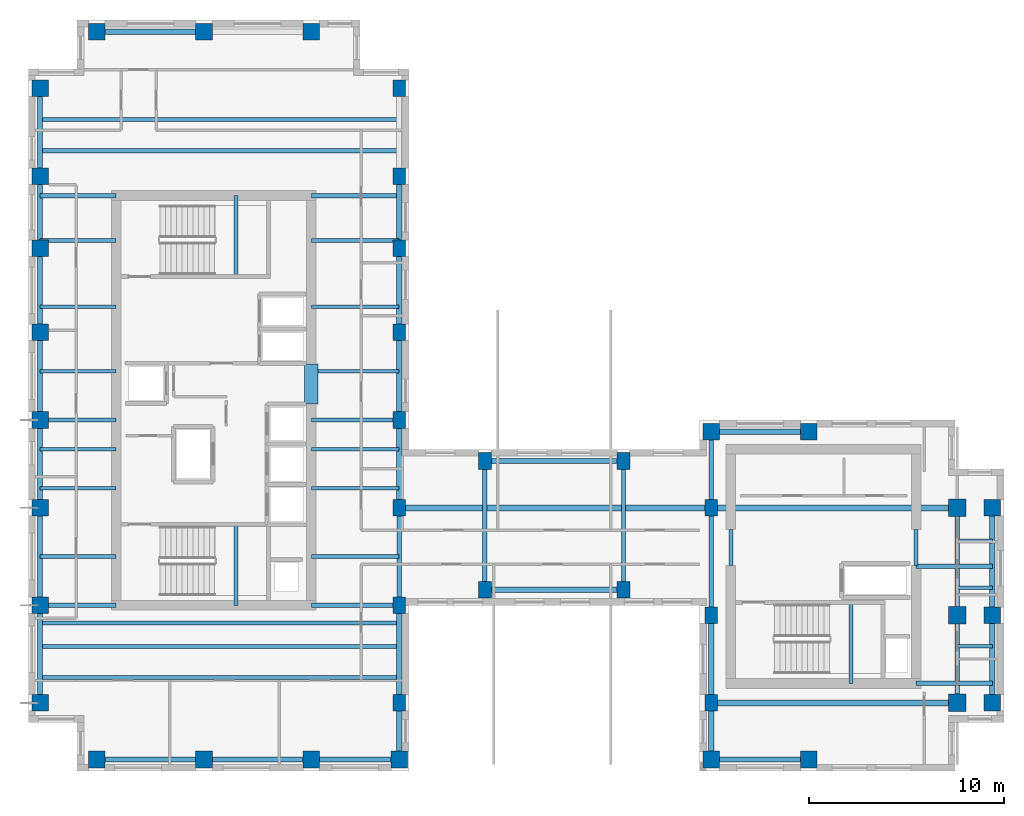
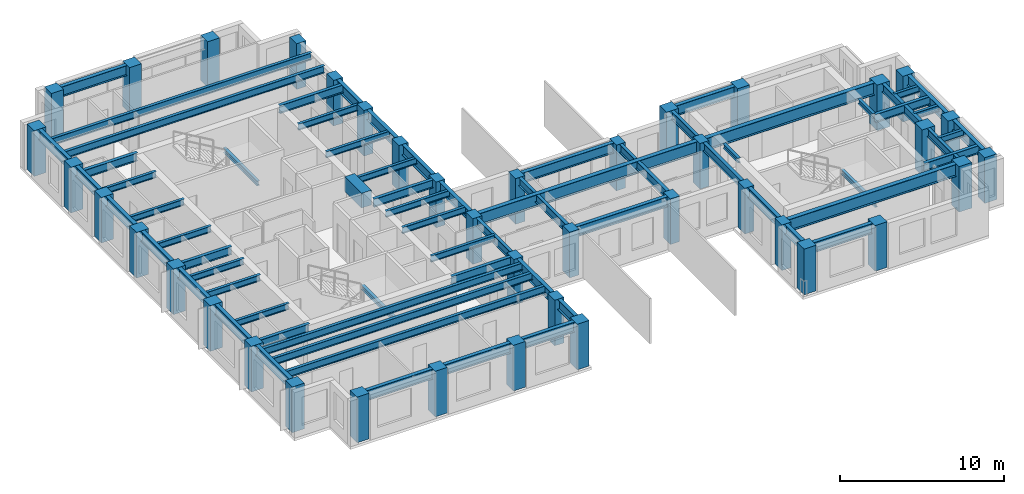
# One storey, part 1 of 10: 69 beams, 40 columns.
"""IFC4 building model written with IfcOpenShell, lengths in metres."""

from ifc_helpers import new_model, si_unit, direction, frame, origin, origin_2d, place, context, subcontext, project, spatial, rectangle, i_section, extrude, source, transform, mapped, material, material_profile, profile_set, type_object, element, save


model = new_model("IFC4")

# Units and contexts
model_context = context("Model", 3, precision=1e-05, world=origin(), true_north=direction((0.0, 1.0)))
body_context = subcontext(model_context, "Body", "Model", "MODEL_VIEW")
ifc_project = project(units=[si_unit("LENGTHUNIT", "METRE"), si_unit("AREAUNIT", "SQUARE_METRE"), si_unit("VOLUMEUNIT", "CUBIC_METRE"), si_unit("PLANEANGLEUNIT", "RADIAN"), si_unit("MASSUNIT", "GRAM", prefix="KILO")], contexts=[model_context])

# Site, building, storey
site_placement = place(None, origin())
site = spatial("IfcSite", under=ifc_project, at=site_placement, CompositionType="ELEMENT")
building_placement = place(site_placement, origin())
building = spatial("IfcBuilding", under=site, at=building_placement, Name="Kharzan Plaza Tower", CompositionType="ELEMENT")
storey_placement = place(building_placement, frame((0.0, 0.0, 230.39990234375)))
storey = spatial("IfcBuildingStorey", under=building, at=storey_placement, Name="L62", CompositionType="ELEMENT", Elevation=230.39990234375)

# Columns
ifc_material_1 = material(Name="Concrete C50/60", Category="concrete")
ifc_material_profile_1 = material_profile(ifc_material_1, rectangle(XDim=0.89990234375, YDim=0.89990234375, at=origin_2d()), Name="RC-IC900x900")
ifc_profile_set_1 = profile_set([ifc_material_profile_1], Name="Concrete C50/60")
column_type_1 = type_object("IfcColumnType", Name="COL-IC900", PredefinedType="COLUMN", material=ifc_profile_set_1)
shared_shape_1 = source(origin(), body_context, "Body", "SweptSolid", [
    extrude(rectangle(XDim=0.89990234375, YDim=0.89990234375, at=origin_2d()), origin(), (0.0, 0.0, 1.0), 3.400146484375),
])
for number, where, z_axis, x_axis, name in (
    (1, (47.60009765625, 13.5, 0.0), (0.0, 0.0, 1.0), (1.0, 0.0, 0.0), "L62 Structural Column TCBI-135"),
    (2, (47.60009765625, 3.5, 0.0), (0.0, 0.0, 1.0), (1.0, 0.0, 0.0), "L62 Structural Column TCBI-35"),
    (3, (47.60009765625, 8.0, 0.0), (0.0, 0.0, 1.0), (1.0, 0.0, 0.0), "L62 Structural Column TCBI-80"),
):
    element("IfcColumn", number, at=place(storey_placement, frame(where, z_axis=z_axis, x_axis=x_axis)), inside=storey, type_object=column_type_1, Name=name, PredefinedType="COLUMN", context=body_context, shape_type="MappedRepresentation", body=[
        mapped(shared_shape_1, transform((0.0, 0.0, 0.0), x_axis=(1.0, 0.0, 0.0), y_axis=(0.0, 1.0, 0.0), z_axis=(0.0, 0.0, 1.0))),
    ])
ifc_material_profile_2 = material_profile(ifc_material_1, rectangle(XDim=0.64990234375, YDim=0.85009765625, at=origin_2d()), Name="RC-SC850x650")
ifc_profile_set_2 = profile_set([ifc_material_profile_2], Name="Concrete C50/60")
column_type_2 = type_object("IfcColumnType", Name="COL-SC850", PredefinedType="COLUMN", material=ifc_profile_set_2)
shared_shape_2 = source(origin(), body_context, "Body", "SweptSolid", [
    extrude(rectangle(XDim=0.64990234375, YDim=0.85009765625, at=origin_2d()), origin(), (0.0, 0.0, 1.0), 3.400146484375),
])
for number, where, z_axis, x_axis, name in (
    (4, (19.0, 13.5, 0.0), (0.0, 0.0, 1.0), (1.0, 0.0, 0.0), "L62 Structural Column TCA-135"),
    (5, (19.0, 18.0, 0.0), (0.0, 0.0, 1.0), (1.0, 0.0, 0.0), "L62 Structural Column TCA-180"),
    (6, (19.0, 22.5, 0.0), (0.0, 0.0, 1.0), (1.0, 0.0, 0.0), "L62 Structural Column TCA-225"),
    (7, (19.0, 26.800048828125, 0.0), (0.0, 0.0, 1.0), (1.0, 0.0, 0.0), "L62 Structural Column TCA-268"),
    (8, (19.0, 30.5, 0.0), (0.0, 0.0, 1.0), (1.0, 0.0, 0.0), "L62 Structural Column TCA-305"),
    (9, (19.0, 3.5, 0.0), (0.0, 0.0, 1.0), (1.0, 0.0, 0.0), "L62 Structural Column TCA-35"),
    (10, (19.0, 35.0, 0.0), (0.0, 0.0, 1.0), (1.0, 0.0, 0.0), "L62 Structural Column TCA-350"),
    (11, (19.0, 8.5, 0.0), (0.0, 0.0, 1.0), (1.0, 0.0, 0.0), "L62 Structural Column TCA-85"),
    (12, (35.0, 13.5, 0.0), (0.0, 0.0, 1.0), (1.0, 0.0, 0.0), "L62 Structural Column TCBS-135"),
    (13, (35.0, 3.5, 0.0), (0.0, 0.0, 1.0), (1.0, 0.0, 0.0), "L62 Structural Column TCBS-35"),
    (14, (35.0, 8.0, 0.0), (0.0, 0.0, 1.0), (1.0, 0.0, 0.0), "L62 Structural Column TCBS-80"),
    (15, (23.39990234375, 15.89990234375, 0.0), (0.0, 0.0, 1.0), (1.0, 0.0, 0.0), "L62 Structural Column TCSP-234-159"),
    (16, (23.39990234375, 9.300048828125, 0.0), (0.0, 0.0, 1.0), (1.0, 0.0, 0.0), "L62 Structural Column TCSP-234-93"),
    (17, (30.5, 15.89990234375, 0.0), (0.0, 0.0, 1.0), (1.0, 0.0, 0.0), "L62 Structural Column TCSP-305-159"),
    (18, (30.5, 9.300048828125, 0.0), (0.0, 0.0, 1.0), (1.0, 0.0, 0.0), "L62 Structural Column TCSP-305-93"),
):
    element("IfcColumn", number, at=place(storey_placement, frame(where, z_axis=z_axis, x_axis=x_axis)), inside=storey, type_object=column_type_2, Name=name, PredefinedType="COLUMN", context=body_context, shape_type="MappedRepresentation", body=[
        mapped(shared_shape_2, transform((0.0, 0.0, 0.0), x_axis=(1.0, 0.0, 0.0), y_axis=(0.0, 1.0, 0.0), z_axis=(0.0, 0.0, 1.0))),
    ])
ifc_material_profile_3 = material_profile(ifc_material_1, rectangle(XDim=0.85009765625, YDim=0.85009765625, at=origin_2d()), Name="RC-TC850x850")
ifc_profile_set_3 = profile_set([ifc_material_profile_3], Name="Concrete C50/60")
column_type_3 = type_object("IfcColumnType", Name="COL-TC850", PredefinedType="COLUMN", material=ifc_profile_set_3)
shared_shape_3 = source(origin(), body_context, "Body", "SweptSolid", [
    extrude(rectangle(XDim=0.85009765625, YDim=0.85009765625, at=origin_2d()), origin(), (0.0, 0.0, 1.0), 3.400146484375),
])
for number, where, z_axis, x_axis, name in (
    (19, (35.0, 17.39990234375, 0.0), (0.0, 0.0, 1.0), (1.0, 0.0, 0.0), "L62 Structural Column TCBN-350-174"),
    (20, (40.0, 17.39990234375, 0.0), (0.0, 0.0, 1.0), (1.0, 0.0, 0.0), "L62 Structural Column TCBN-400-174"),
    (21, (49.39990234375, 13.5, 0.0), (0.0, 0.0, 1.0), (1.0, 0.0, 0.0), "L62 Structural Column TCE-494-135"),
    (22, (49.39990234375, 3.5, 0.0), (0.0, 0.0, 1.0), (1.0, 0.0, 0.0), "L62 Structural Column TCE-494-35"),
    (23, (49.39990234375, 8.0, 0.0), (0.0, 0.0, 1.0), (1.0, 0.0, 0.0), "L62 Structural Column TCE-494-80"),
    (24, (14.5, 37.89990234375, 0.0), (0.0, 0.0, 1.0), (1.0, 0.0, 0.0), "L62 Structural Column TCN-145-379"),
    (25, (3.5, 37.89990234375, 0.0), (0.0, 0.0, 1.0), (1.0, 0.0, 0.0), "L62 Structural Column TCN-35-379"),
    (26, (9.0, 37.89990234375, 0.0), (0.0, 0.0, 1.0), (1.0, 0.0, 0.0), "L62 Structural Column TCN-90-379"),
    (27, (14.5, 0.60009765625, 0.0), (0.0, 0.0, 1.0), (1.0, 0.0, 0.0), "L62 Structural Column TCS-145"),
    (28, (19.0, 0.60009765625, 0.0), (0.0, 0.0, 1.0), (1.0, 0.0, 0.0), "L62 Structural Column TCS-190"),
    (29, (3.5, 0.60009765625, 0.0), (0.0, 0.0, 1.0), (1.0, 0.0, 0.0), "L62 Structural Column TCS-35"),
    (30, (35.0, 0.60009765625, 0.0), (0.0, 0.0, 1.0), (1.0, 0.0, 0.0), "L62 Structural Column TCS-350"),
    (31, (40.0, 0.60009765625, 0.0), (0.0, 0.0, 1.0), (1.0, 0.0, 0.0), "L62 Structural Column TCS-400"),
    (32, (9.0, 0.60009765625, 0.0), (0.0, 0.0, 1.0), (1.0, 0.0, 0.0), "L62 Structural Column TCS-90"),
    (33, (0.60009765625, 13.5, 0.0), (0.0, 0.0, 1.0), (1.0, 0.0, 0.0), "L62 Structural Column TCW-135"),
    (34, (0.60009765625, 18.0, 0.0), (0.0, 0.0, 1.0), (1.0, 0.0, 0.0), "L62 Structural Column TCW-180"),
    (35, (0.60009765625, 22.5, 0.0), (0.0, 0.0, 1.0), (1.0, 0.0, 0.0), "L62 Structural Column TCW-225"),
    (36, (0.60009765625, 26.800048828125, 0.0), (0.0, 0.0, 1.0), (1.0, 0.0, 0.0), "L62 Structural Column TCW-268"),
    (37, (0.60009765625, 30.5, 0.0), (0.0, 0.0, 1.0), (1.0, 0.0, 0.0), "L62 Structural Column TCW-305"),
    (38, (0.60009765625, 3.5, 0.0), (0.0, 0.0, 1.0), (1.0, 0.0, 0.0), "L62 Structural Column TCW-35"),
    (39, (0.60009765625, 35.0, 0.0), (0.0, 0.0, 1.0), (1.0, 0.0, 0.0), "L62 Structural Column TCW-350"),
    (40, (0.60009765625, 8.5, 0.0), (0.0, 0.0, 1.0), (1.0, 0.0, 0.0), "L62 Structural Column TCW-85"),
):
    element("IfcColumn", number, at=place(storey_placement, frame(where, z_axis=z_axis, x_axis=x_axis)), inside=storey, type_object=column_type_3, Name=name, PredefinedType="COLUMN", context=body_context, shape_type="MappedRepresentation", body=[
        mapped(shared_shape_3, transform((0.0, 0.0, 0.0), x_axis=(1.0, 0.0, 0.0), y_axis=(0.0, 1.0, 0.0), z_axis=(0.0, 0.0, 1.0))),
    ])

# Beams
ifc_material_2 = material(Name="Concrete C60/75", Category="concrete")
ifc_material_profile_4 = material_profile(ifc_material_2, rectangle(XDim=0.699951171875, YDim=1.10009765625, at=origin_2d()), Name="RC-CB1100x700")
ifc_profile_set_4 = profile_set([ifc_material_profile_4], Name="Concrete C60/75")
beam_type_1 = type_object("IfcBeamType", Name="BM-RCCB1100", PredefinedType="LINTEL", material=ifc_profile_set_4)
shared_shape_4 = source(origin(), body_context, "Body", "SweptSolid", [
    extrude(rectangle(XDim=0.699951171875, YDim=1.10009765625, at=origin_2d()), origin(), (0.0, 0.0, 1.0), 2.059814453125),
])
beam_1_placement = place(storey_placement, frame((14.5, 18.820068359375, 2.85009765625), z_axis=(0.0, 1.0, 0.0), x_axis=(-1.0, 0.0, 0.0)))
element("IfcBeam", 41, at=beam_1_placement, inside=storey, type_object=beam_type_1, Name="L62 CORE-A RC coupling beam CB1", PredefinedType="LINTEL", context=body_context, shape_type="MappedRepresentation", body=[
    mapped(shared_shape_4, transform((0.0, 0.0, 0.0), x_axis=(1.0, 0.0, 0.0), y_axis=(0.0, 1.0, 0.0), z_axis=(0.0, 0.0, 1.0))),
])
ifc_material_3 = material(Name="Steel S355", Category="steel")
ifc_material_profile_5 = material_profile(ifc_material_3, i_section(OverallWidth=0.205078125, OverallDepth=0.35400390625, WebThickness=0.009521484375, FlangeThickness=0.016845703125, at=origin_2d()), Name="W360x79")
ifc_profile_set_5 = profile_set([ifc_material_profile_5], Name="Steel S355")
beam_type_2 = type_object("IfcBeamType", Name="BM-LNT360", PredefinedType="LINTEL", material=ifc_profile_set_5)
shared_shape_5 = source(origin(), body_context, "Body", "SweptSolid", [
    extrude(i_section(OverallWidth=0.205078125, OverallDepth=0.35400390625, WebThickness=0.009521484375, FlangeThickness=0.016845703125, at=origin_2d()), origin(), (0.0, 0.0, 1.0), 1.849853515625),
])
for number, where, z_axis, x_axis, name in (
    (42, (45.5, 10.550048828125, 3.22314453125), (0.0, 1.0, 0.0), (-1.0, 0.0, 0.0), "L62 CORE-B coupling lintel LN1-WE"),
    (43, (36.0, 10.550048828125, 3.22314453125), (0.0, 1.0, 0.0), (-1.0, 0.0, 0.0), "L62 CORE-B coupling lintel LN1-WW"),
):
    element("IfcBeam", number, at=place(storey_placement, frame(where, z_axis=z_axis, x_axis=x_axis)), inside=storey, type_object=beam_type_2, Name=name, PredefinedType="LINTEL", context=body_context, shape_type="MappedRepresentation", body=[
        mapped(shared_shape_5, transform((0.0, 0.0, 0.0), x_axis=(1.0, 0.0, 0.0), y_axis=(0.0, 1.0, 0.0), z_axis=(0.0, 0.0, 1.0))),
    ])
shared_shape_6 = source(origin(), body_context, "Body", "SweptSolid", [
    extrude(i_section(OverallWidth=0.205078125, OverallDepth=0.35400390625, WebThickness=0.009521484375, FlangeThickness=0.016845703125, at=origin_2d()), origin(), (0.0, 0.0, 1.0), 4.155029296875),
])
for number, where, z_axis, x_axis, name in (
    (44, (10.64990234375, 8.5, 1.423095703125), (0.0, 1.0, 0.0), (-1.0, 0.0, 0.0), "L62 Stair ST-1 Half-Landing Beam"),
    (45, (10.64990234375, 25.344970703125, 1.423095703125), (0.0, 1.0, 0.0), (-1.0, 0.0, 0.0), "L62 Stair ST-2 Half-Landing Beam"),
    (46, (42.14990234375, 4.5, 1.423095703125), (0.0, 1.0, 0.0), (-1.0, 0.0, 0.0), "L62 Stair ST-3 Half-Landing Beam"),
):
    element("IfcBeam", number, at=place(storey_placement, frame(where, z_axis=z_axis, x_axis=x_axis)), inside=storey, type_object=beam_type_2, Name=name, PredefinedType="LINTEL", context=body_context, shape_type="MappedRepresentation", body=[
        mapped(shared_shape_6, transform((0.0, 0.0, 0.0), x_axis=(1.0, 0.0, 0.0), y_axis=(0.0, 1.0, 0.0), z_axis=(0.0, 0.0, 1.0))),
    ])
ifc_material_profile_6 = material_profile(ifc_material_3, i_section(OverallWidth=0.304931640625, OverallDepth=0.9189453125, WebThickness=0.017333984375, FlangeThickness=0.02783203125, at=origin_2d()), Name="W920x253")
ifc_profile_set_6 = profile_set([ifc_material_profile_6], Name="Steel S355")
beam_type_3 = type_object("IfcBeamType", Name="BM-FG920B", PredefinedType="BEAM", material=ifc_profile_set_6)
shared_shape_7 = source(origin(), body_context, "Body", "SweptSolid", [
    extrude(i_section(OverallWidth=0.304931640625, OverallDepth=0.9189453125, WebThickness=0.017333984375, FlangeThickness=0.02783203125, at=origin_2d()), origin(), (0.0, 0.0, 1.0), 12.60009765625),
])
for number, where, z_axis, x_axis, name in (
    (47, (35.0, 3.5, 2.940673828125), (1.0, 0.0, 0.0), (0.0, 1.0, 0.0), "L62 Primary Floor Girder"),
    (48, (35.0, 13.5, 2.940673828125), (1.0, 0.0, 0.0), (0.0, 1.0, 0.0), "L62 Primary Floor Girder"),
):
    element("IfcBeam", number, at=place(storey_placement, frame(where, z_axis=z_axis, x_axis=x_axis)), inside=storey, type_object=beam_type_3, Name=name, PredefinedType="BEAM", context=body_context, shape_type="MappedRepresentation", body=[
        mapped(shared_shape_7, transform((0.0, 0.0, 0.0), x_axis=(1.0, 0.0, 0.0), y_axis=(0.0, 1.0, 0.0), z_axis=(0.0, 0.0, 1.0))),
    ])
shared_shape_8 = source(origin(), body_context, "Body", "SweptSolid", [
    extrude(i_section(OverallWidth=0.304931640625, OverallDepth=0.9189453125, WebThickness=0.017333984375, FlangeThickness=0.02783203125, at=origin_2d()), origin(), (0.0, 0.0, 1.0), 16.0),
])
beam_2_placement = place(storey_placement, frame((19.0, 13.5, 2.940673828125), z_axis=(1.0, 0.0, 0.0), x_axis=(0.0, 1.0, 0.0)))
element("IfcBeam", 49, at=beam_2_placement, inside=storey, type_object=beam_type_3, Name="L62 Primary Floor Girder", PredefinedType="BEAM", context=body_context, shape_type="MappedRepresentation", body=[
    mapped(shared_shape_8, transform((0.0, 0.0, 0.0), x_axis=(1.0, 0.0, 0.0), y_axis=(0.0, 1.0, 0.0), z_axis=(0.0, 0.0, 1.0))),
])
ifc_material_profile_7 = material_profile(ifc_material_3, i_section(OverallWidth=0.2099609375, OverallDepth=0.537109375, WebThickness=0.010986328125, FlangeThickness=0.017333984375, at=origin_2d()), Name="W530x101")
ifc_profile_set_7 = profile_set([ifc_material_profile_7], Name="Steel S355")
beam_type_4 = type_object("IfcBeamType", Name="BM-JST530B", PredefinedType="JOIST", material=ifc_profile_set_7)
shared_shape_9 = source(origin(), body_context, "Body", "SweptSolid", [
    extrude(i_section(OverallWidth=0.2099609375, OverallDepth=0.537109375, WebThickness=0.010986328125, FlangeThickness=0.017333984375, at=origin_2d()), origin(), (0.0, 0.0, 1.0), 18.39990234375),
])
for number, where, z_axis, x_axis, name in (
    (50, (0.60009765625, 4.800048828125, 3.131591796875), (1.0, 0.0, 0.0), (0.0, 1.0, 0.0), "L62 Wing A Composite Joist 01"),
    (51, (0.60009765625, 6.39990234375, 3.131591796875), (1.0, 0.0, 0.0), (0.0, 1.0, 0.0), "L62 Wing A Composite Joist 02"),
    (52, (0.60009765625, 7.60009765625, 3.131591796875), (1.0, 0.0, 0.0), (0.0, 1.0, 0.0), "L62 Wing A Composite Joist 03"),
    (53, (0.60009765625, 31.800048828125, 3.131591796875), (1.0, 0.0, 0.0), (0.0, 1.0, 0.0), "L62 Wing A Composite Joist 04"),
    (54, (0.60009765625, 33.39990234375, 3.131591796875), (1.0, 0.0, 0.0), (0.0, 1.0, 0.0), "L62 Wing A Composite Joist 05"),
):
    element("IfcBeam", number, at=place(storey_placement, frame(where, z_axis=z_axis, x_axis=x_axis)), inside=storey, type_object=beam_type_4, Name=name, PredefinedType="JOIST", context=body_context, shape_type="MappedRepresentation", body=[
        mapped(shared_shape_9, transform((0.0, 0.0, 0.0), x_axis=(1.0, 0.0, 0.0), y_axis=(0.0, 1.0, 0.0), z_axis=(0.0, 0.0, 1.0))),
    ])
ifc_material_profile_8 = material_profile(ifc_material_3, i_section(OverallWidth=0.194091796875, OverallDepth=0.468994140625, WebThickness=0.011474609375, FlangeThickness=0.0205078125, at=origin_2d()), Name="W460x106")
ifc_profile_set_8 = profile_set([ifc_material_profile_8], Name="Steel S355")
beam_type_5 = type_object("IfcBeamType", Name="BM-JST460", PredefinedType="JOIST", material=ifc_profile_set_8)
shared_shape_10 = source(origin(), body_context, "Body", "SweptSolid", [
    extrude(i_section(OverallWidth=0.194091796875, OverallDepth=0.468994140625, WebThickness=0.011474609375, FlangeThickness=0.0205078125, at=origin_2d()), origin(), (0.0, 0.0, 1.0), 4.5),
])
for number, where, z_axis, x_axis, name in (
    (55, (14.5, 11.0, 3.16552734375), (1.0, 0.0, 0.0), (0.0, 1.0, 0.0), "L62 Wing A East Infill Joist 1"),
    (56, (14.5, 14.5, 3.16552734375), (1.0, 0.0, 0.0), (0.0, 1.0, 0.0), "L62 Wing A East Infill Joist 2"),
    (57, (14.5, 16.5, 3.16552734375), (1.0, 0.0, 0.0), (0.0, 1.0, 0.0), "L62 Wing A East Infill Joist 3"),
    (58, (14.5, 20.5, 3.16552734375), (1.0, 0.0, 0.0), (0.0, 1.0, 0.0), "L62 Wing A East Infill Joist 4"),
    (59, (14.5, 23.800048828125, 3.16552734375), (1.0, 0.0, 0.0), (0.0, 1.0, 0.0), "L62 Wing A East Infill Joist 5"),
    (60, (14.5, 27.199951171875, 3.16552734375), (1.0, 0.0, 0.0), (0.0, 1.0, 0.0), "L62 Wing A East Infill Joist 6"),
):
    element("IfcBeam", number, at=place(storey_placement, frame(where, z_axis=z_axis, x_axis=x_axis)), inside=storey, type_object=beam_type_5, Name=name, PredefinedType="JOIST", context=body_context, shape_type="MappedRepresentation", body=[
        mapped(shared_shape_10, transform((0.0, 0.0, 0.0), x_axis=(1.0, 0.0, 0.0), y_axis=(0.0, 1.0, 0.0), z_axis=(0.0, 0.0, 1.0))),
    ])
shared_shape_11 = source(origin(), body_context, "Body", "SweptSolid", [
    extrude(i_section(OverallWidth=0.194091796875, OverallDepth=0.468994140625, WebThickness=0.011474609375, FlangeThickness=0.0205078125, at=origin_2d()), origin(), (0.0, 0.0, 1.0), 3.89990234375),
])
for number, where, z_axis, x_axis, name in (
    (61, (0.60009765625, 11.0, 3.16552734375), (1.0, 0.0, 0.0), (0.0, 1.0, 0.0), "L62 Wing A West Infill Joist 1"),
    (62, (0.60009765625, 14.5, 3.16552734375), (1.0, 0.0, 0.0), (0.0, 1.0, 0.0), "L62 Wing A West Infill Joist 2"),
    (63, (0.60009765625, 16.5, 3.16552734375), (1.0, 0.0, 0.0), (0.0, 1.0, 0.0), "L62 Wing A West Infill Joist 3"),
    (64, (0.60009765625, 20.5, 3.16552734375), (1.0, 0.0, 0.0), (0.0, 1.0, 0.0), "L62 Wing A West Infill Joist 4"),
    (65, (0.60009765625, 23.800048828125, 3.16552734375), (1.0, 0.0, 0.0), (0.0, 1.0, 0.0), "L62 Wing A West Infill Joist 5"),
    (66, (0.60009765625, 27.199951171875, 3.16552734375), (1.0, 0.0, 0.0), (0.0, 1.0, 0.0), "L62 Wing A West Infill Joist 6"),
):
    element("IfcBeam", number, at=place(storey_placement, frame(where, z_axis=z_axis, x_axis=x_axis)), inside=storey, type_object=beam_type_5, Name=name, PredefinedType="JOIST", context=body_context, shape_type="MappedRepresentation", body=[
        mapped(shared_shape_11, transform((0.0, 0.0, 0.0), x_axis=(1.0, 0.0, 0.0), y_axis=(0.0, 1.0, 0.0), z_axis=(0.0, 0.0, 1.0))),
    ])
ifc_material_profile_9 = material_profile(ifc_material_3, i_section(OverallWidth=0.22900390625, OverallDepth=0.612060546875, WebThickness=0.011962890625, FlangeThickness=0.01953125, at=origin_2d()), Name="W610x125")
ifc_profile_set_9 = profile_set([ifc_material_profile_9], Name="Steel S355")
beam_type_6 = type_object("IfcBeamType", Name="BM-FG610B", PredefinedType="BEAM", material=ifc_profile_set_9)
shared_shape_12 = source(origin(), body_context, "Body", "SweptSolid", [
    extrude(i_section(OverallWidth=0.22900390625, OverallDepth=0.612060546875, WebThickness=0.011962890625, FlangeThickness=0.01953125, at=origin_2d()), origin(), (0.0, 0.0, 1.0), 4.5),
])
for number, where, z_axis, x_axis, name in (
    (67, (14.5, 8.5, 3.093994140625), (1.0, 0.0, 0.0), (0.0, 1.0, 0.0), "L62 Core-A East Floor Girder 1"),
    (68, (14.5, 18.0, 3.093994140625), (1.0, 0.0, 0.0), (0.0, 1.0, 0.0), "L62 Core-A East Floor Girder 2"),
    (69, (14.5, 29.5, 3.093994140625), (1.0, 0.0, 0.0), (0.0, 1.0, 0.0), "L62 Core-A East Floor Girder 3"),
    (70, (47.60009765625, 3.5, 3.093994140625), (0.0, 1.0, 0.0), (-1.0, 0.0, 0.0), "L62 Interior Frame Girder"),
):
    element("IfcBeam", number, at=place(storey_placement, frame(where, z_axis=z_axis, x_axis=x_axis)), inside=storey, type_object=beam_type_6, Name=name, PredefinedType="BEAM", context=body_context, shape_type="MappedRepresentation", body=[
        mapped(shared_shape_12, transform((0.0, 0.0, 0.0), x_axis=(1.0, 0.0, 0.0), y_axis=(0.0, 1.0, 0.0), z_axis=(0.0, 0.0, 1.0))),
    ])
shared_shape_13 = source(origin(), body_context, "Body", "SweptSolid", [
    extrude(i_section(OverallWidth=0.22900390625, OverallDepth=0.612060546875, WebThickness=0.011962890625, FlangeThickness=0.01953125, at=origin_2d()), origin(), (0.0, 0.0, 1.0), 3.89990234375),
])
for number, where, z_axis, x_axis, name in (
    (71, (0.60009765625, 8.5, 3.093994140625), (1.0, 0.0, 0.0), (0.0, 1.0, 0.0), "L62 Core-A West Floor Girder 1"),
    (72, (0.60009765625, 18.0, 3.093994140625), (1.0, 0.0, 0.0), (0.0, 1.0, 0.0), "L62 Core-A West Floor Girder 2"),
    (73, (0.60009765625, 29.5, 3.093994140625), (1.0, 0.0, 0.0), (0.0, 1.0, 0.0), "L62 Core-A West Floor Girder 3"),
    (74, (45.5, 4.5, 3.093994140625), (1.0, 0.0, 0.0), (0.0, 1.0, 0.0), "L62 Core-B East Floor Girder 1"),
    (75, (45.5, 10.5, 3.093994140625), (1.0, 0.0, 0.0), (0.0, 1.0, 0.0), "L62 Core-B East Floor Girder 2"),
    (76, (35.0, 13.5, 3.093994140625), (0.0, 1.0, 0.0), (-1.0, 0.0, 0.0), "L62 Interior Frame Girder"),
):
    element("IfcBeam", number, at=place(storey_placement, frame(where, z_axis=z_axis, x_axis=x_axis)), inside=storey, type_object=beam_type_6, Name=name, PredefinedType="BEAM", context=body_context, shape_type="MappedRepresentation", body=[
        mapped(shared_shape_13, transform((0.0, 0.0, 0.0), x_axis=(1.0, 0.0, 0.0), y_axis=(0.0, 1.0, 0.0), z_axis=(0.0, 0.0, 1.0))),
    ])
shared_shape_14 = source(origin(), body_context, "Body", "SweptSolid", [
    extrude(i_section(OverallWidth=0.22900390625, OverallDepth=0.612060546875, WebThickness=0.011962890625, FlangeThickness=0.01953125, at=origin_2d()), origin(), (0.0, 0.0, 1.0), 5.0),
])
beam_3_placement = place(storey_placement, frame((19.0, 8.5, 3.093994140625), z_axis=(0.0, 1.0, 0.0), x_axis=(-1.0, 0.0, 0.0)))
element("IfcBeam", 77, at=beam_3_placement, inside=storey, type_object=beam_type_6, Name="L62 Interior Frame Girder", PredefinedType="BEAM", context=body_context, shape_type="MappedRepresentation", body=[
    mapped(shared_shape_14, transform((0.0, 0.0, 0.0), x_axis=(1.0, 0.0, 0.0), y_axis=(0.0, 1.0, 0.0), z_axis=(0.0, 0.0, 1.0))),
])
shared_shape_15 = source(origin(), body_context, "Body", "SweptSolid", [
    extrude(i_section(OverallWidth=0.22900390625, OverallDepth=0.612060546875, WebThickness=0.011962890625, FlangeThickness=0.01953125, at=origin_2d()), origin(), (0.0, 0.0, 1.0), 6.599853515625),
])
for number, where, z_axis, x_axis, name in (
    (78, (23.39990234375, 9.300048828125, 3.093994140625), (0.0, 1.0, 0.0), (-1.0, 0.0, 0.0), "L62 Interior Frame Girder"),
    (79, (30.5, 9.300048828125, 3.093994140625), (0.0, 1.0, 0.0), (-1.0, 0.0, 0.0), "L62 Interior Frame Girder"),
):
    element("IfcBeam", number, at=place(storey_placement, frame(where, z_axis=z_axis, x_axis=x_axis)), inside=storey, type_object=beam_type_6, Name=name, PredefinedType="BEAM", context=body_context, shape_type="MappedRepresentation", body=[
        mapped(shared_shape_15, transform((0.0, 0.0, 0.0), x_axis=(1.0, 0.0, 0.0), y_axis=(0.0, 1.0, 0.0), z_axis=(0.0, 0.0, 1.0))),
    ])
shared_shape_16 = source(origin(), body_context, "Body", "SweptSolid", [
    extrude(i_section(OverallWidth=0.22900390625, OverallDepth=0.612060546875, WebThickness=0.011962890625, FlangeThickness=0.01953125, at=origin_2d()), origin(), (0.0, 0.0, 1.0), 5.5),
])
for number, where, z_axis, x_axis, name in (
    (80, (35.0, 8.0, 3.093994140625), (0.0, 1.0, 0.0), (-1.0, 0.0, 0.0), "L62 Interior Frame Girder"),
    (81, (47.60009765625, 8.0, 3.093994140625), (0.0, 1.0, 0.0), (-1.0, 0.0, 0.0), "L62 Interior Frame Girder"),
):
    element("IfcBeam", number, at=place(storey_placement, frame(where, z_axis=z_axis, x_axis=x_axis)), inside=storey, type_object=beam_type_6, Name=name, PredefinedType="BEAM", context=body_context, shape_type="MappedRepresentation", body=[
        mapped(shared_shape_16, transform((0.0, 0.0, 0.0), x_axis=(1.0, 0.0, 0.0), y_axis=(0.0, 1.0, 0.0), z_axis=(0.0, 0.0, 1.0))),
    ])
shared_shape_17 = source(origin(), body_context, "Body", "SweptSolid", [
    extrude(i_section(OverallWidth=0.194091796875, OverallDepth=0.468994140625, WebThickness=0.011474609375, FlangeThickness=0.0205078125, at=origin_2d()), origin(), (0.0, 0.0, 1.0), 1.7998046875),
])
for number, where, z_axis, x_axis, name in (
    (82, (47.60009765625, 6.39990234375, 3.16552734375), (1.0, 0.0, 0.0), (0.0, 1.0, 0.0), "L62 Wing B Composite Joist 02"),
    (83, (47.60009765625, 9.39990234375, 3.16552734375), (1.0, 0.0, 0.0), (0.0, 1.0, 0.0), "L62 Wing B Composite Joist 03"),
    (84, (47.60009765625, 11.800048828125, 3.16552734375), (1.0, 0.0, 0.0), (0.0, 1.0, 0.0), "L62 Wing B Composite Joist 04"),
):
    element("IfcBeam", number, at=place(storey_placement, frame(where, z_axis=z_axis, x_axis=x_axis)), inside=storey, type_object=beam_type_5, Name=name, PredefinedType="JOIST", context=body_context, shape_type="MappedRepresentation", body=[
        mapped(shared_shape_17, transform((0.0, 0.0, 0.0), x_axis=(1.0, 0.0, 0.0), y_axis=(0.0, 1.0, 0.0), z_axis=(0.0, 0.0, 1.0))),
    ])
ifc_material_profile_10 = material_profile(ifc_material_3, i_section(OverallWidth=0.26708984375, OverallDepth=0.76611328125, WebThickness=0.014892578125, FlangeThickness=0.023681640625, at=origin_2d()), Name="W760x185")
ifc_profile_set_10 = profile_set([ifc_material_profile_10], Name="Steel S355")
beam_type_7 = type_object("IfcBeamType", Name="BM-SP760B", PredefinedType="SPANDREL", material=ifc_profile_set_10)
shared_shape_18 = source(origin(), body_context, "Body", "SweptSolid", [
    extrude(i_section(OverallWidth=0.26708984375, OverallDepth=0.76611328125, WebThickness=0.014892578125, FlangeThickness=0.023681640625, at=origin_2d()), origin(), (0.0, 0.0, 1.0), 5.0),
])
for number, where, z_axis, x_axis, name in (
    (85, (0.60009765625, 3.5, 3.01708984375), (0.0, 1.0, 0.0), (-1.0, 0.0, 0.0), "L62 Perimeter Tube Spandrel"),
    (86, (0.60009765625, 8.5, 3.01708984375), (0.0, 1.0, 0.0), (-1.0, 0.0, 0.0), "L62 Perimeter Tube Spandrel"),
    (87, (19.0, 3.5, 3.01708984375), (0.0, 1.0, 0.0), (-1.0, 0.0, 0.0), "L62 Perimeter Tube Spandrel"),
    (88, (35.0, 0.60009765625, 3.01708984375), (1.0, 0.0, 0.0), (0.0, 1.0, 0.0), "L62 Perimeter Tube Spandrel"),
    (89, (35.0, 17.39990234375, 3.01708984375), (1.0, 0.0, 0.0), (0.0, 1.0, 0.0), "L62 Perimeter Tube Spandrel"),
):
    element("IfcBeam", number, at=place(storey_placement, frame(where, z_axis=z_axis, x_axis=x_axis)), inside=storey, type_object=beam_type_7, Name=name, PredefinedType="SPANDREL", context=body_context, shape_type="MappedRepresentation", body=[
        mapped(shared_shape_18, transform((0.0, 0.0, 0.0), x_axis=(1.0, 0.0, 0.0), y_axis=(0.0, 1.0, 0.0), z_axis=(0.0, 0.0, 1.0))),
    ])
shared_shape_19 = source(origin(), body_context, "Body", "SweptSolid", [
    extrude(i_section(OverallWidth=0.26708984375, OverallDepth=0.76611328125, WebThickness=0.014892578125, FlangeThickness=0.023681640625, at=origin_2d()), origin(), (0.0, 0.0, 1.0), 4.5),
])
for number, where, z_axis, x_axis, name in (
    (90, (0.60009765625, 13.5, 3.01708984375), (0.0, 1.0, 0.0), (-1.0, 0.0, 0.0), "L62 Perimeter Tube Spandrel"),
    (91, (0.60009765625, 18.0, 3.01708984375), (0.0, 1.0, 0.0), (-1.0, 0.0, 0.0), "L62 Perimeter Tube Spandrel"),
    (92, (0.60009765625, 30.5, 3.01708984375), (0.0, 1.0, 0.0), (-1.0, 0.0, 0.0), "L62 Perimeter Tube Spandrel"),
    (93, (19.0, 13.5, 3.01708984375), (0.0, 1.0, 0.0), (-1.0, 0.0, 0.0), "L62 Perimeter Tube Spandrel"),
    (94, (19.0, 18.0, 3.01708984375), (0.0, 1.0, 0.0), (-1.0, 0.0, 0.0), "L62 Perimeter Tube Spandrel"),
    (95, (35.0, 3.5, 3.01708984375), (0.0, 1.0, 0.0), (-1.0, 0.0, 0.0), "L62 Perimeter Tube Spandrel"),
    (96, (49.39990234375, 3.5, 3.01708984375), (0.0, 1.0, 0.0), (-1.0, 0.0, 0.0), "L62 Perimeter Tube Spandrel"),
    (97, (14.5, 0.60009765625, 3.01708984375), (1.0, 0.0, 0.0), (0.0, 1.0, 0.0), "L62 Perimeter Tube Spandrel"),
):
    element("IfcBeam", number, at=place(storey_placement, frame(where, z_axis=z_axis, x_axis=x_axis)), inside=storey, type_object=beam_type_7, Name=name, PredefinedType="SPANDREL", context=body_context, shape_type="MappedRepresentation", body=[
        mapped(shared_shape_19, transform((0.0, 0.0, 0.0), x_axis=(1.0, 0.0, 0.0), y_axis=(0.0, 1.0, 0.0), z_axis=(0.0, 0.0, 1.0))),
    ])
shared_shape_20 = source(origin(), body_context, "Body", "SweptSolid", [
    extrude(i_section(OverallWidth=0.26708984375, OverallDepth=0.76611328125, WebThickness=0.014892578125, FlangeThickness=0.023681640625, at=origin_2d()), origin(), (0.0, 0.0, 1.0), 4.300048828125),
])
for number, where, z_axis, x_axis, name in (
    (98, (0.60009765625, 22.5, 3.01708984375), (0.0, 1.0, 0.0), (-1.0, 0.0, 0.0), "L62 Perimeter Tube Spandrel"),
    (99, (19.0, 22.5, 3.01708984375), (0.0, 1.0, 0.0), (-1.0, 0.0, 0.0), "L62 Perimeter Tube Spandrel"),
):
    element("IfcBeam", number, at=place(storey_placement, frame(where, z_axis=z_axis, x_axis=x_axis)), inside=storey, type_object=beam_type_7, Name=name, PredefinedType="SPANDREL", context=body_context, shape_type="MappedRepresentation", body=[
        mapped(shared_shape_20, transform((0.0, 0.0, 0.0), x_axis=(1.0, 0.0, 0.0), y_axis=(0.0, 1.0, 0.0), z_axis=(0.0, 0.0, 1.0))),
    ])
shared_shape_21 = source(origin(), body_context, "Body", "SweptSolid", [
    extrude(i_section(OverallWidth=0.26708984375, OverallDepth=0.76611328125, WebThickness=0.014892578125, FlangeThickness=0.023681640625, at=origin_2d()), origin(), (0.0, 0.0, 1.0), 3.699951171875),
])
for number, where, z_axis, x_axis, name in (
    (100, (0.60009765625, 26.800048828125, 3.01708984375), (0.0, 1.0, 0.0), (-1.0, 0.0, 0.0), "L62 Perimeter Tube Spandrel"),
    (101, (19.0, 26.800048828125, 3.01708984375), (0.0, 1.0, 0.0), (-1.0, 0.0, 0.0), "L62 Perimeter Tube Spandrel"),
):
    element("IfcBeam", number, at=place(storey_placement, frame(where, z_axis=z_axis, x_axis=x_axis)), inside=storey, type_object=beam_type_7, Name=name, PredefinedType="SPANDREL", context=body_context, shape_type="MappedRepresentation", body=[
        mapped(shared_shape_21, transform((0.0, 0.0, 0.0), x_axis=(1.0, 0.0, 0.0), y_axis=(0.0, 1.0, 0.0), z_axis=(0.0, 0.0, 1.0))),
    ])
shared_shape_22 = source(origin(), body_context, "Body", "SweptSolid", [
    extrude(i_section(OverallWidth=0.26708984375, OverallDepth=0.76611328125, WebThickness=0.014892578125, FlangeThickness=0.023681640625, at=origin_2d()), origin(), (0.0, 0.0, 1.0), 2.89990234375),
])
for number, where, z_axis, x_axis, name in (
    (102, (19.0, 0.60009765625, 3.01708984375), (0.0, 1.0, 0.0), (-1.0, 0.0, 0.0), "L62 Perimeter Tube Spandrel"),
    (103, (35.0, 0.60009765625, 3.01708984375), (0.0, 1.0, 0.0), (-1.0, 0.0, 0.0), "L62 Perimeter Tube Spandrel"),
):
    element("IfcBeam", number, at=place(storey_placement, frame(where, z_axis=z_axis, x_axis=x_axis)), inside=storey, type_object=beam_type_7, Name=name, PredefinedType="SPANDREL", context=body_context, shape_type="MappedRepresentation", body=[
        mapped(shared_shape_22, transform((0.0, 0.0, 0.0), x_axis=(1.0, 0.0, 0.0), y_axis=(0.0, 1.0, 0.0), z_axis=(0.0, 0.0, 1.0))),
    ])
shared_shape_23 = source(origin(), body_context, "Body", "SweptSolid", [
    extrude(i_section(OverallWidth=0.26708984375, OverallDepth=0.76611328125, WebThickness=0.014892578125, FlangeThickness=0.023681640625, at=origin_2d()), origin(), (0.0, 0.0, 1.0), 5.5),
])
for number, where, z_axis, x_axis, name in (
    (104, (49.39990234375, 8.0, 3.01708984375), (0.0, 1.0, 0.0), (-1.0, 0.0, 0.0), "L62 Perimeter Tube Spandrel"),
    (105, (3.5, 0.60009765625, 3.01708984375), (1.0, 0.0, 0.0), (0.0, 1.0, 0.0), "L62 Perimeter Tube Spandrel"),
    (106, (9.0, 0.60009765625, 3.01708984375), (1.0, 0.0, 0.0), (0.0, 1.0, 0.0), "L62 Perimeter Tube Spandrel"),
    (107, (3.5, 37.89990234375, 3.01708984375), (1.0, 0.0, 0.0), (0.0, 1.0, 0.0), "L62 Perimeter Tube Spandrel"),
):
    element("IfcBeam", number, at=place(storey_placement, frame(where, z_axis=z_axis, x_axis=x_axis)), inside=storey, type_object=beam_type_7, Name=name, PredefinedType="SPANDREL", context=body_context, shape_type="MappedRepresentation", body=[
        mapped(shared_shape_23, transform((0.0, 0.0, 0.0), x_axis=(1.0, 0.0, 0.0), y_axis=(0.0, 1.0, 0.0), z_axis=(0.0, 0.0, 1.0))),
    ])
shared_shape_24 = source(origin(), body_context, "Body", "SweptSolid", [
    extrude(i_section(OverallWidth=0.26708984375, OverallDepth=0.76611328125, WebThickness=0.014892578125, FlangeThickness=0.023681640625, at=origin_2d()), origin(), (0.0, 0.0, 1.0), 7.10009765625),
])
for number, where, z_axis, x_axis, name in (
    (108, (23.39990234375, 9.300048828125, 3.01708984375), (1.0, 0.0, 0.0), (0.0, 1.0, 0.0), "L62 Perimeter Tube Spandrel"),
    (109, (23.39990234375, 15.89990234375, 3.01708984375), (1.0, 0.0, 0.0), (0.0, 1.0, 0.0), "L62 Perimeter Tube Spandrel"),
):
    element("IfcBeam", number, at=place(storey_placement, frame(where, z_axis=z_axis, x_axis=x_axis)), inside=storey, type_object=beam_type_7, Name=name, PredefinedType="SPANDREL", context=body_context, shape_type="MappedRepresentation", body=[
        mapped(shared_shape_24, transform((0.0, 0.0, 0.0), x_axis=(1.0, 0.0, 0.0), y_axis=(0.0, 1.0, 0.0), z_axis=(0.0, 0.0, 1.0))),
    ])

save(model, "model.ifc")
